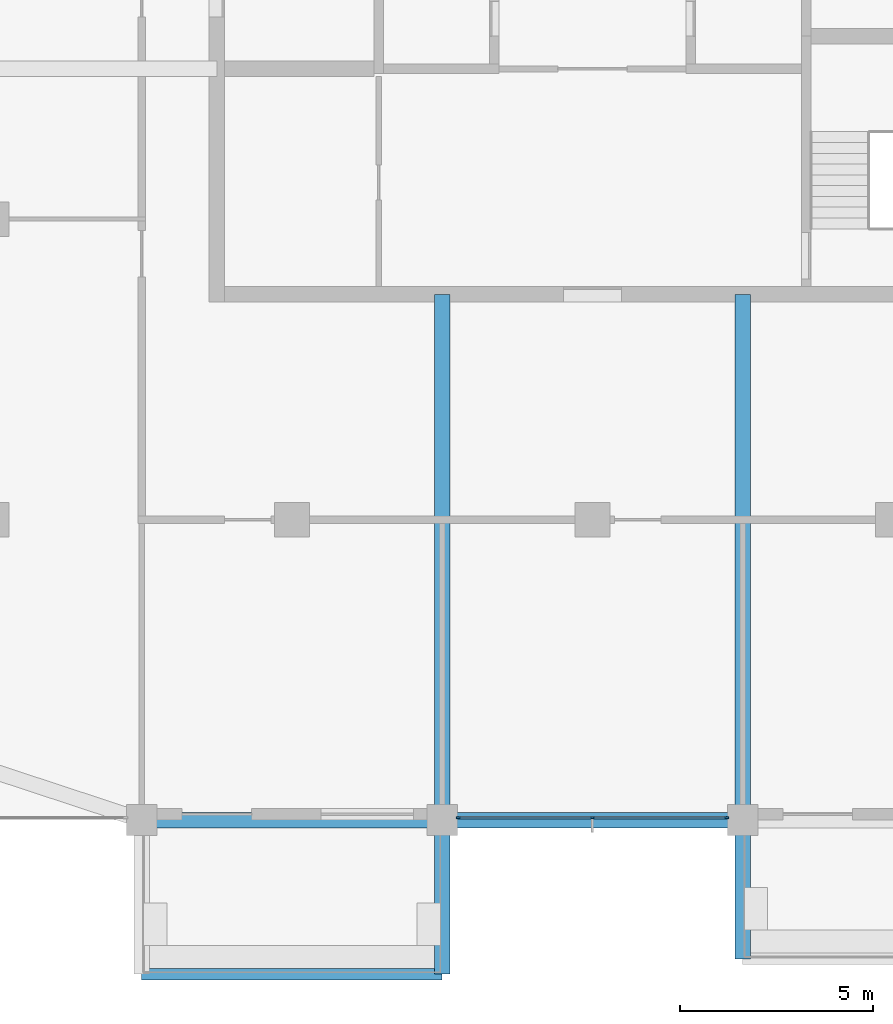
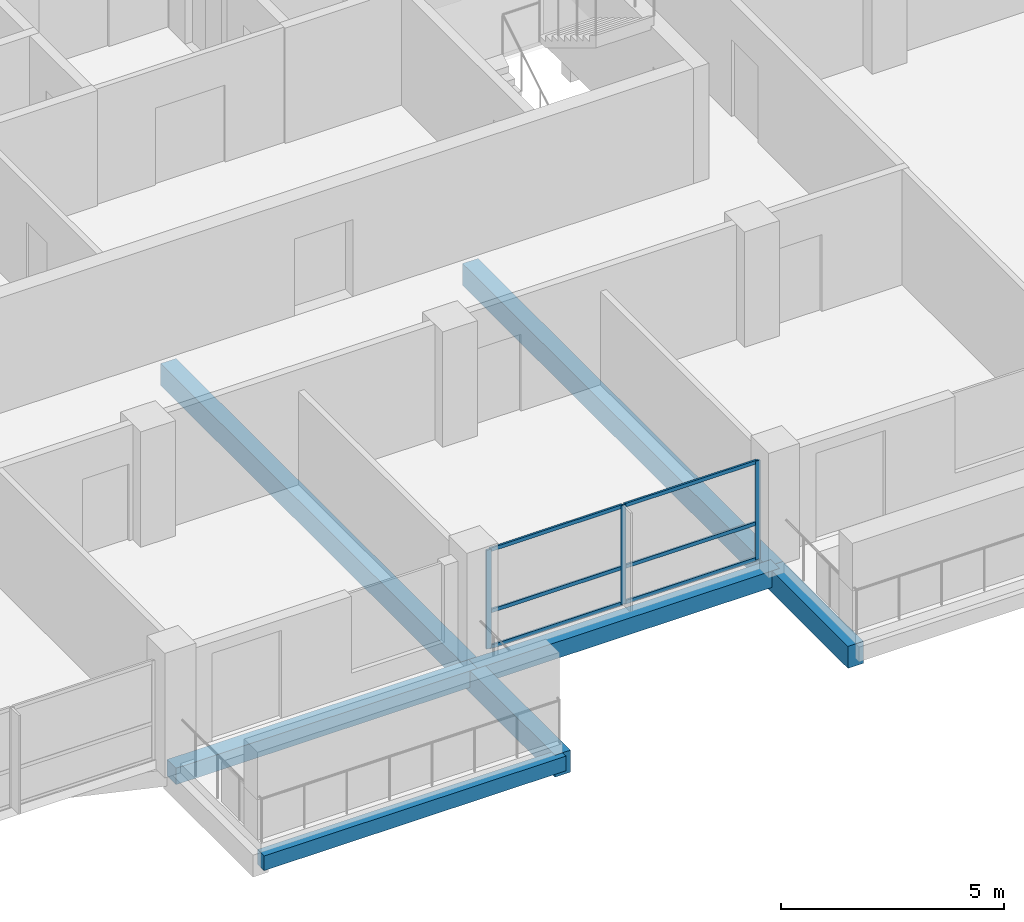
# One storey, part 3 of 22: 9 members, 7 beams, 1 element without a shape of its own.
"""IFC4 building model written with IfcOpenShell, lengths in metres."""

from ifc_helpers import new_model, si_unit, direction, frame, origin, origin_2d, place, context, subcontext, project, spatial, rectangle, extrude, material, material_profile, profile_set, type_object, element, aggregate, save


model = new_model("IFC4")

# Units and contexts
model_context = context("Model", 3, precision=1e-05, world=origin(), true_north=direction((0.0, 1.0)))
body_context = subcontext(model_context, "Body", "Model", "MODEL_VIEW")
ifc_project = project(units=[si_unit("LENGTHUNIT", "METRE"), si_unit("AREAUNIT", "SQUARE_METRE"), si_unit("VOLUMEUNIT", "CUBIC_METRE"), si_unit("PLANEANGLEUNIT", "RADIAN"), si_unit("MASSUNIT", "GRAM", prefix="KILO")], contexts=[model_context])

# Site, building, storey
site_placement = place(None, origin())
site = spatial("IfcSite", under=ifc_project, at=site_placement, CompositionType="ELEMENT")
building_placement = place(site_placement, origin())
building = spatial("IfcBuilding", under=site, at=building_placement, Name="Ludao Terraces", CompositionType="ELEMENT")
storey_placement = place(building_placement, frame((0.0, 0.0, 200.699951171875)))
storey = spatial("IfcBuildingStorey", under=building, at=storey_placement, Name="L54", CompositionType="ELEMENT", Elevation=200.699951171875)

# Curtain wall, members
ifc_material_1 = material(Name="Aluminium curtain wall with fritted glass", Category="aluminium")
curtain_wall_type = type_object("IfcCurtainWallType", Name="ENV CW3 community glazing", PredefinedType="NOTDEFINED", material=ifc_material_1)
curtain_wall_placement = place(storey_placement, origin())
curtain_wall = element("IfcCurtainWall", 1, at=curtain_wall_placement, inside=storey, type_object=curtain_wall_type, Name="Community floor glazing L54 S3", PredefinedType="NOTDEFINED")
ifc_material_2 = material(Name="Aluminium 6063-T6", Category="aluminium")
ifc_material_profile_1 = material_profile(ifc_material_2, rectangle(XDim=0.050048828125, YDim=0.1201171875, at=origin_2d()), Name="50 X 120")
ifc_profile_set_1 = profile_set([ifc_material_profile_1], Name="Aluminium 6063-T6")
member_type_1 = type_object("IfcMemberType", Name="ENV CW3 mullion 50x120", PredefinedType="MULLION", material=ifc_profile_set_1)
member_1_placement = place(storey_placement, frame((81.52490234375, 41.659912109375, 0.0), z_axis=(0.0, 0.0, 1.0), x_axis=(0.0, 1.0, 0.0)))
member_1 = element("IfcMember", 2, at=member_1_placement, type_object=member_type_1, Name="CW3 mullion 1", PredefinedType="MULLION", context=body_context, shape_type="SweptSolid", body=[
    extrude(rectangle(XDim=0.050048828125, YDim=0.1201171875, at=origin_2d()), origin(), (0.0, 0.0, 1.0), 2.699951171875),
])
member_2_placement = place(storey_placement, frame((85.0, 41.659912109375, 0.0), z_axis=(0.0, 0.0, 1.0), x_axis=(0.0, 1.0, 0.0)))
member_2 = element("IfcMember", 3, at=member_2_placement, type_object=member_type_1, Name="CW3 mullion 2", PredefinedType="MULLION", context=body_context, shape_type="SweptSolid", body=[
    extrude(rectangle(XDim=0.050048828125, YDim=0.1201171875, at=origin_2d()), origin(), (0.0, 0.0, 1.0), 2.699951171875),
])
member_3_placement = place(storey_placement, frame((88.47509765625, 41.659912109375, 0.0), z_axis=(0.0, 0.0, 1.0), x_axis=(0.0, 1.0, 0.0)))
member_3 = element("IfcMember", 4, at=member_3_placement, type_object=member_type_1, Name="CW3 mullion 3", PredefinedType="MULLION", context=body_context, shape_type="SweptSolid", body=[
    extrude(rectangle(XDim=0.050048828125, YDim=0.1201171875, at=origin_2d()), origin(), (0.0, 0.0, 1.0), 2.699951171875),
])
ifc_material_profile_2 = material_profile(ifc_material_2, rectangle(XDim=0.050048828125, YDim=0.10009765625, at=origin_2d()), Name="50 X 100")
ifc_profile_set_2 = profile_set([ifc_material_profile_2], Name="Aluminium 6063-T6")
member_type_2 = type_object("IfcMemberType", Name="ENV CW3 transom 50x100", PredefinedType="USERDEFINED", material=ifc_profile_set_2)
member_4_placement = place(storey_placement, frame((81.550048828125, 41.659912109375, 0.025146484375), z_axis=(1.0, 0.0, 0.0), x_axis=(0.0, 1.0, 0.0)))
member_4 = element("IfcMember", 5, at=member_4_placement, type_object=member_type_2, Name="CW3 transom 1.1", ObjectType="TRANSOM", PredefinedType="USERDEFINED", context=body_context, shape_type="SweptSolid", body=[
    extrude(rectangle(XDim=0.050048828125, YDim=0.10009765625, at=origin_2d()), origin(), (0.0, 0.0, 1.0), 3.425048828125),
])
member_5_placement = place(storey_placement, frame((81.550048828125, 41.659912109375, 1.0), z_axis=(1.0, 0.0, 0.0), x_axis=(0.0, 1.0, 0.0)))
member_5 = element("IfcMember", 6, at=member_5_placement, type_object=member_type_2, Name="CW3 transom 1.2", ObjectType="TRANSOM", PredefinedType="USERDEFINED", context=body_context, shape_type="SweptSolid", body=[
    extrude(rectangle(XDim=0.050048828125, YDim=0.10009765625, at=origin_2d()), origin(), (0.0, 0.0, 1.0), 3.425048828125),
])
member_6_placement = place(storey_placement, frame((81.550048828125, 41.659912109375, 2.675048828125), z_axis=(1.0, 0.0, 0.0), x_axis=(0.0, 1.0, 0.0)))
member_6 = element("IfcMember", 7, at=member_6_placement, type_object=member_type_2, Name="CW3 transom 1.3", ObjectType="TRANSOM", PredefinedType="USERDEFINED", context=body_context, shape_type="SweptSolid", body=[
    extrude(rectangle(XDim=0.050048828125, YDim=0.10009765625, at=origin_2d()), origin(), (0.0, 0.0, 1.0), 3.425048828125),
])
member_7_placement = place(storey_placement, frame((85.02490234375, 41.659912109375, 0.025146484375), z_axis=(1.0, 0.0, 0.0), x_axis=(0.0, 1.0, 0.0)))
member_7 = element("IfcMember", 8, at=member_7_placement, type_object=member_type_2, Name="CW3 transom 2.1", ObjectType="TRANSOM", PredefinedType="USERDEFINED", context=body_context, shape_type="SweptSolid", body=[
    extrude(rectangle(XDim=0.050048828125, YDim=0.10009765625, at=origin_2d()), origin(), (0.0, 0.0, 1.0), 3.425048828125),
])
member_8_placement = place(storey_placement, frame((85.02490234375, 41.659912109375, 1.0), z_axis=(1.0, 0.0, 0.0), x_axis=(0.0, 1.0, 0.0)))
member_8 = element("IfcMember", 9, at=member_8_placement, type_object=member_type_2, Name="CW3 transom 2.2", ObjectType="TRANSOM", PredefinedType="USERDEFINED", context=body_context, shape_type="SweptSolid", body=[
    extrude(rectangle(XDim=0.050048828125, YDim=0.10009765625, at=origin_2d()), origin(), (0.0, 0.0, 1.0), 3.425048828125),
])
member_9_placement = place(storey_placement, frame((85.02490234375, 41.659912109375, 2.675048828125), z_axis=(1.0, 0.0, 0.0), x_axis=(0.0, 1.0, 0.0)))
member_9 = element("IfcMember", 10, at=member_9_placement, type_object=member_type_2, Name="CW3 transom 2.3", ObjectType="TRANSOM", PredefinedType="USERDEFINED", context=body_context, shape_type="SweptSolid", body=[
    extrude(rectangle(XDim=0.050048828125, YDim=0.10009765625, at=origin_2d()), origin(), (0.0, 0.0, 1.0), 3.425048828125),
])
aggregate(curtain_wall, [member_1, member_2, member_3, member_4, member_5, member_6, member_7, member_8, member_9])

# Beams
ifc_material_3 = material(Name="Concrete C40", Category="concrete")
ifc_material_profile_3 = material_profile(ifc_material_3, rectangle(XDim=0.300048828125, YDim=0.39990234375, at=origin_2d()), Name="300 X 400")
ifc_profile_set_3 = profile_set([ifc_material_profile_3], Name="Concrete C40")
beam_type_1 = type_object("IfcBeamType", Name="RC beam 300x400 C40", PredefinedType="BEAM", material=ifc_profile_set_3)
beam_1_placement = place(storey_placement, frame((73.300048828125, 37.60009765625, -0.449951171875), z_axis=(1.0, 0.0, 0.0), x_axis=(0.0, 1.0, 0.0)))
element("IfcBeam", 11, at=beam_1_placement, inside=storey, type_object=beam_type_1, Name="Balcony edge beam L54 S1", PredefinedType="BEAM", context=body_context, shape_type="SweptSolid", body=[
    extrude(rectangle(XDim=0.300048828125, YDim=0.39990234375, at=origin_2d()), origin(), (0.0, 0.0, 1.0), 7.800048828125),
])
ifc_material_profile_4 = material_profile(ifc_material_3, rectangle(XDim=0.39990234375, YDim=0.449951171875, at=origin_2d()), Name="400 X 450")
ifc_profile_set_4 = profile_set([ifc_material_profile_4], Name="Concrete C40")
beam_type_2 = type_object("IfcBeamType", Name="RC beam 400x450 C40", PredefinedType="BEAM", material=ifc_profile_set_4)
beam_2_placement = place(storey_placement, frame((73.300048828125, 41.60009765625, -0.474853515625), z_axis=(1.0, 0.0, 0.0), x_axis=(0.0, 1.0, 0.0)))
element("IfcBeam", 12, at=beam_2_placement, inside=storey, type_object=beam_type_2, Name="Spandrel beam L54 S2", PredefinedType="BEAM", context=body_context, shape_type="SweptSolid", body=[
    extrude(rectangle(XDim=0.39990234375, YDim=0.449951171875, at=origin_2d()), origin(), (0.0, 0.0, 1.0), 7.800048828125),
])
beam_3_placement = place(storey_placement, frame((81.10009765625, 41.60009765625, -0.474853515625), z_axis=(1.0, 0.0, 0.0), x_axis=(0.0, 1.0, 0.0)))
element("IfcBeam", 13, at=beam_3_placement, inside=storey, type_object=beam_type_2, Name="Spandrel beam L54 S3", PredefinedType="BEAM", context=body_context, shape_type="SweptSolid", body=[
    extrude(rectangle(XDim=0.39990234375, YDim=0.449951171875, at=origin_2d()), origin(), (0.0, 0.0, 1.0), 7.7998046875),
])
ifc_material_profile_5 = material_profile(ifc_material_3, rectangle(XDim=0.39990234375, YDim=0.60009765625, at=origin_2d()), Name="400 X 600")
ifc_profile_set_5 = profile_set([ifc_material_profile_5], Name="Concrete C40")
beam_type_3 = type_object("IfcBeamType", Name="RC beam 400x600 C40", PredefinedType="BEAM", material=ifc_profile_set_5)
beam_4_placement = place(storey_placement, frame((81.10009765625, 55.25, -0.550048828125), z_axis=(0.0, -1.0, 0.0), x_axis=(1.0, 0.0, 0.0)))
element("IfcBeam", 14, at=beam_4_placement, inside=storey, type_object=beam_type_3, Name="Balcony beam L54 S811", PredefinedType="BEAM", context=body_context, shape_type="SweptSolid", body=[
    extrude(rectangle(XDim=0.39990234375, YDim=0.60009765625, at=origin_2d()), origin(), (0.0, 0.0, 1.0), 13.64990234375),
])
beam_5_placement = place(storey_placement, frame((81.10009765625, 41.60009765625, -0.550048828125), z_axis=(0.0, -1.0, 0.0), x_axis=(1.0, 0.0, 0.0)))
element("IfcBeam", 15, at=beam_5_placement, inside=storey, type_object=beam_type_3, Name="Balcony beam L54 S811", PredefinedType="BEAM", context=body_context, shape_type="SweptSolid", body=[
    extrude(rectangle(XDim=0.39990234375, YDim=0.60009765625, at=origin_2d()), origin(), (0.0, 0.0, 1.0), 4.0),
])
beam_6_placement = place(storey_placement, frame((88.89990234375, 55.25, -0.550048828125), z_axis=(0.0, -1.0, 0.0), x_axis=(1.0, 0.0, 0.0)))
element("IfcBeam", 16, at=beam_6_placement, inside=storey, type_object=beam_type_3, Name="Balcony beam L54 S889", PredefinedType="BEAM", context=body_context, shape_type="SweptSolid", body=[
    extrude(rectangle(XDim=0.39990234375, YDim=0.60009765625, at=origin_2d()), origin(), (0.0, 0.0, 1.0), 13.64990234375),
])
beam_7_placement = place(storey_placement, frame((88.89990234375, 41.60009765625, -0.550048828125), z_axis=(0.0, -1.0, 0.0), x_axis=(1.0, 0.0, 0.0)))
element("IfcBeam", 17, at=beam_7_placement, inside=storey, type_object=beam_type_3, Name="Balcony beam L54 S889", PredefinedType="BEAM", context=body_context, shape_type="SweptSolid", body=[
    extrude(rectangle(XDim=0.39990234375, YDim=0.60009765625, at=origin_2d()), origin(), (0.0, 0.0, 1.0), 3.60009765625),
])

save(model, "model.ifc")
